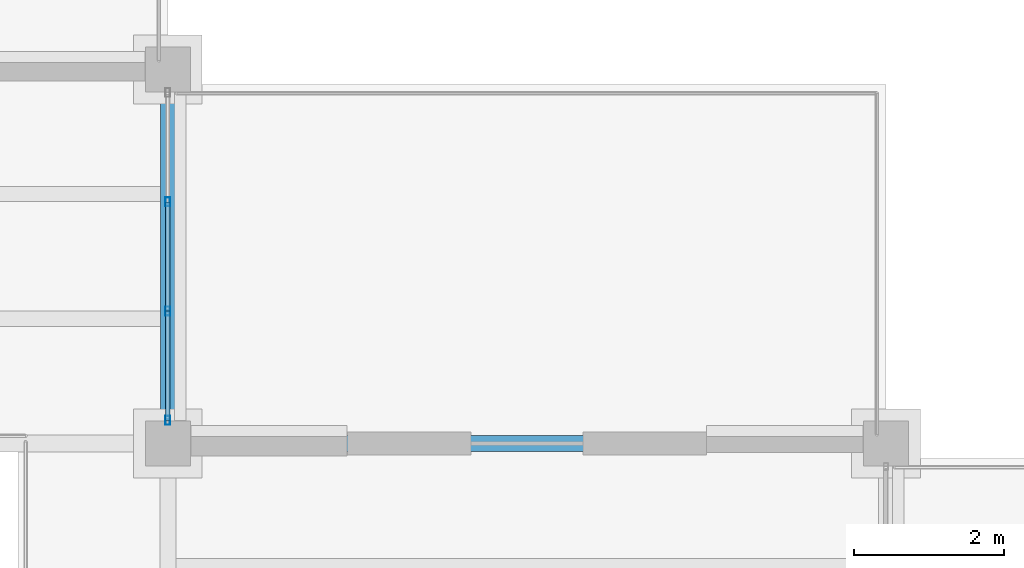
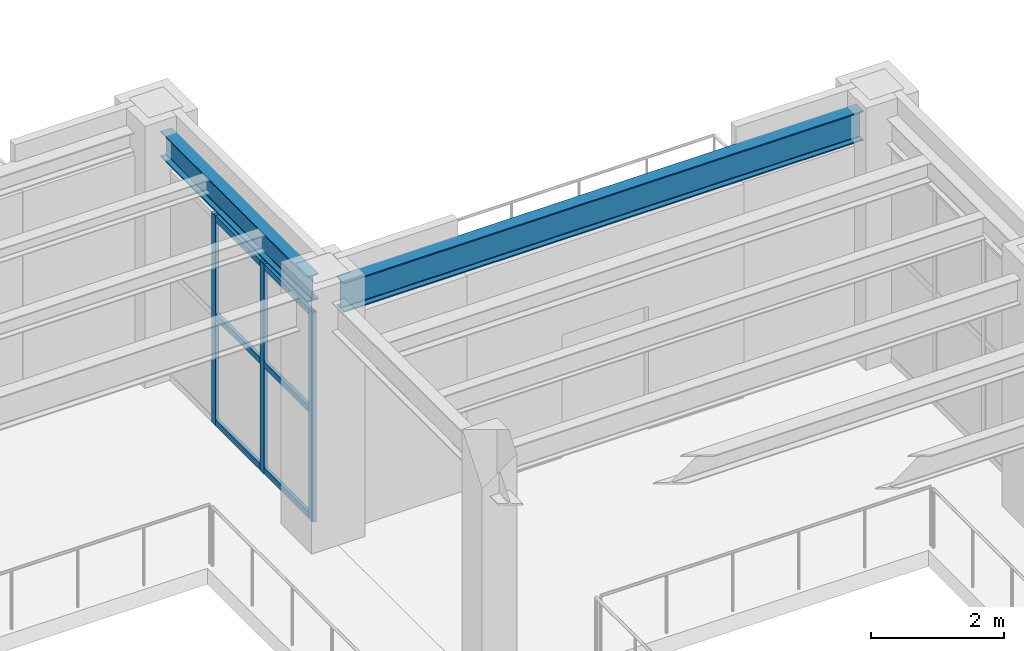
# One storey, part 42 of 83: 9 members, 2 beams, 1 element without a shape of its own.
"""IFC4 building model written with IfcOpenShell, lengths in metres."""

from ifc_helpers import new_model, si_unit, direction, frame, origin, origin_2d, place, context, subcontext, project, spatial, hollow_rectangle, i_section, extrude, material, material_profile, profile_set, type_object, element, aggregate, save


model = new_model("IFC4")

# Units and contexts
model_context = context("Model", 3, precision=1e-05, world=origin(), true_north=direction((0.0, 1.0)))
body_context = subcontext(model_context, "Body", "Model", "MODEL_VIEW")
ifc_project = project(units=[si_unit("LENGTHUNIT", "METRE"), si_unit("AREAUNIT", "SQUARE_METRE"), si_unit("VOLUMEUNIT", "CUBIC_METRE"), si_unit("PLANEANGLEUNIT", "RADIAN"), si_unit("MASSUNIT", "GRAM", prefix="KILO")], contexts=[model_context])

# Site, building, storey
site_placement = place(None, origin())
site = spatial("IfcSite", under=ifc_project, at=site_placement, CompositionType="ELEMENT")
building_placement = place(site_placement, origin())
building = spatial("IfcBuilding", under=site, at=building_placement, Name="Mavantir Sound Aquarium", CompositionType="ELEMENT")
storey_placement = place(building_placement, frame((0.0, 0.0, 10.5)))
storey = spatial("IfcBuildingStorey", under=building, at=storey_placement, Name="L02", CompositionType="ELEMENT", Elevation=10.5)

# Beams
ifc_material_1 = material(Name="Structural Steel ASTM A992 Gr50", Category="steel")
ifc_material_profile_1 = material_profile(ifc_material_1, i_section(OverallWidth=0.194091796875, OverallDepth=0.468994140625, WebThickness=0.0126953125, FlangeThickness=0.0205078125, FilletRadius=0.01611328125, at=origin_2d()), Name="W460X106")
ifc_profile_set_1 = profile_set([ifc_material_profile_1], Name="Structural Steel ASTM A992 Gr50")
beam_type_1 = type_object("IfcBeamType", Name="BM-W460X106-I", PredefinedType="BEAM", material=ifc_profile_set_1)
beam_1_placement = place(storey_placement, frame((136.800048828125, 76.10009765625, 4.25146484375), z_axis=(0.0, 1.0, 0.0), x_axis=(-1.0, 0.0, 0.0)))
element("IfcBeam", 1, at=beam_1_placement, inside=storey, type_object=beam_type_1, Name="L02 primary girder SB-46 1584", PredefinedType="BEAM", context=body_context, shape_type="SweptSolid", body=[
    extrude(i_section(OverallWidth=0.194091796875, OverallDepth=0.468994140625, WebThickness=0.0126953125, FlangeThickness=0.0205078125, FilletRadius=0.01611328125, at=origin_2d()), origin(), (0.0, 0.0, 1.0), 4.39990234375),
])
ifc_material_profile_2 = material_profile(ifc_material_1, i_section(OverallWidth=0.2119140625, OverallDepth=0.5439453125, WebThickness=0.01318359375, FlangeThickness=0.021240234375, FilletRadius=0.01806640625, at=origin_2d()), Name="W530X123")
ifc_profile_set_2 = profile_set([ifc_material_profile_2], Name="Structural Steel ASTM A992 Gr50")
beam_type_2 = type_object("IfcBeamType", Name="BM-W530X123-I", PredefinedType="BEAM", material=ifc_profile_set_2)
beam_2_placement = place(storey_placement, frame((137.10009765625, 75.800048828125, 4.214111328125), z_axis=(1.0, 0.0, 0.0), x_axis=(0.0, 1.0, 0.0)))
element("IfcBeam", 2, at=beam_2_placement, inside=storey, type_object=beam_type_2, Name="L02 primary beam SB-53 1546", PredefinedType="BEAM", context=body_context, shape_type="SweptSolid", body=[
    extrude(i_section(OverallWidth=0.2119140625, OverallDepth=0.5439453125, WebThickness=0.01318359375, FlangeThickness=0.021240234375, FilletRadius=0.01806640625, at=origin_2d()), origin(), (0.0, 0.0, 1.0), 9.0),
])

# Curtain wall, members
ifc_material_2 = material(Name="Anodised Marine Aluminium and Low-E Glass", Category="aluminium")
curtain_wall_type = type_object("IfcCurtainWallType", Name="CW-T10", PredefinedType="USERDEFINED", material=ifc_material_2)
curtain_wall_placement = place(storey_placement, origin())
curtain_wall = element("IfcCurtainWall", 3, at=curtain_wall_placement, inside=storey, type_object=curtain_wall_type, Name="L02 unitised curtain wall CW-10 130", ObjectType="UNITISED GLAZING", PredefinedType="USERDEFINED")
ifc_material_3 = material(Name="Anodised Marine Aluminium 6063-T6", Category="aluminium")
ifc_material_profile_3 = material_profile(ifc_material_3, hollow_rectangle(XDim=0.06494140625, YDim=0.1201171875, WallThickness=0.00390625, at=origin_2d()), Name="ALU-MULLION-120X65")
ifc_profile_set_3 = profile_set([ifc_material_profile_3], Name="Anodised Marine Aluminium 6063-T6")
member_type_1 = type_object("IfcMemberType", Name="CW-MUL-120", PredefinedType="MULLION", material=ifc_profile_set_3)
member_1_placement = place(storey_placement, frame((136.800048828125, 76.10791015625, 0.0), z_axis=(0.0, 0.0, 1.0), x_axis=(1.0, 0.0, 0.0)))
member_1 = element("IfcMember", 4, at=member_1_placement, type_object=member_type_1, Name="CW-L02-130 vertical mullion 1", PredefinedType="MULLION", context=body_context, shape_type="SweptSolid", body=[
    extrude(hollow_rectangle(XDim=0.06494140625, YDim=0.1201171875, WallThickness=0.00390625, at=origin_2d()), origin(), (0.0, 0.0, 1.0), 3.843994140625),
])
member_2_placement = place(storey_placement, frame((136.800048828125, 77.5693359375, 0.0), z_axis=(0.0, 0.0, 1.0), x_axis=(1.0, 0.0, 0.0)))
member_2 = element("IfcMember", 5, at=member_2_placement, type_object=member_type_1, Name="CW-L02-130 vertical mullion 2", PredefinedType="MULLION", context=body_context, shape_type="SweptSolid", body=[
    extrude(hollow_rectangle(XDim=0.06494140625, YDim=0.1201171875, WallThickness=0.00390625, at=origin_2d()), origin(), (0.0, 0.0, 1.0), 3.843994140625),
])
member_3_placement = place(storey_placement, frame((136.800048828125, 79.03076171875, 0.0), z_axis=(0.0, 0.0, 1.0), x_axis=(1.0, 0.0, 0.0)))
member_3 = element("IfcMember", 6, at=member_3_placement, type_object=member_type_1, Name="CW-L02-130 vertical mullion 3", PredefinedType="MULLION", context=body_context, shape_type="SweptSolid", body=[
    extrude(hollow_rectangle(XDim=0.06494140625, YDim=0.1201171875, WallThickness=0.00390625, at=origin_2d()), origin(), (0.0, 0.0, 1.0), 3.843994140625),
])
ifc_material_profile_4 = material_profile(ifc_material_3, hollow_rectangle(XDim=0.06005859375, YDim=0.110107421875, WallThickness=0.00390625, at=origin_2d()), Name="ALU-TRANSOM-110X60")
ifc_profile_set_4 = profile_set([ifc_material_profile_4], Name="Anodised Marine Aluminium 6063-T6")
member_type_2 = type_object("IfcMemberType", Name="CW-TRN-110", PredefinedType="USERDEFINED", material=ifc_profile_set_4)
member_4_placement = place(storey_placement, frame((136.800048828125, 76.10791015625, 0.054931640625), z_axis=(0.0, 1.0, 0.0), x_axis=(-1.0, 0.0, 0.0)))
member_4 = element("IfcMember", 7, at=member_4_placement, type_object=member_type_2, Name="CW-L02-130 transom 1.1", ObjectType="TRANSOM", PredefinedType="USERDEFINED", context=body_context, shape_type="SweptSolid", body=[
    extrude(hollow_rectangle(XDim=0.06005859375, YDim=0.110107421875, WallThickness=0.00390625, at=origin_2d()), origin(), (0.0, 0.0, 1.0), 1.46142578125),
])
member_5_placement = place(storey_placement, frame((136.800048828125, 76.10791015625, 1.998779296875), z_axis=(0.0, 1.0, 0.0), x_axis=(-1.0, 0.0, 0.0)))
member_5 = element("IfcMember", 8, at=member_5_placement, type_object=member_type_2, Name="CW-L02-130 transom 1.2", ObjectType="TRANSOM", PredefinedType="USERDEFINED", context=body_context, shape_type="SweptSolid", body=[
    extrude(hollow_rectangle(XDim=0.06005859375, YDim=0.110107421875, WallThickness=0.00390625, at=origin_2d()), origin(), (0.0, 0.0, 1.0), 1.46142578125),
])
member_6_placement = place(storey_placement, frame((136.800048828125, 76.10791015625, 3.7890625), z_axis=(0.0, 1.0, 0.0), x_axis=(-1.0, 0.0, 0.0)))
member_6 = element("IfcMember", 9, at=member_6_placement, type_object=member_type_2, Name="CW-L02-130 transom 1.3", ObjectType="TRANSOM", PredefinedType="USERDEFINED", context=body_context, shape_type="SweptSolid", body=[
    extrude(hollow_rectangle(XDim=0.06005859375, YDim=0.110107421875, WallThickness=0.00390625, at=origin_2d()), origin(), (0.0, 0.0, 1.0), 1.46142578125),
])
member_7_placement = place(storey_placement, frame((136.800048828125, 77.5693359375, 0.054931640625), z_axis=(0.0, 1.0, 0.0), x_axis=(-1.0, 0.0, 0.0)))
member_7 = element("IfcMember", 10, at=member_7_placement, type_object=member_type_2, Name="CW-L02-130 transom 2.1", ObjectType="TRANSOM", PredefinedType="USERDEFINED", context=body_context, shape_type="SweptSolid", body=[
    extrude(hollow_rectangle(XDim=0.06005859375, YDim=0.110107421875, WallThickness=0.00390625, at=origin_2d()), origin(), (0.0, 0.0, 1.0), 1.46142578125),
])
member_8_placement = place(storey_placement, frame((136.800048828125, 77.5693359375, 1.998779296875), z_axis=(0.0, 1.0, 0.0), x_axis=(-1.0, 0.0, 0.0)))
member_8 = element("IfcMember", 11, at=member_8_placement, type_object=member_type_2, Name="CW-L02-130 transom 2.2", ObjectType="TRANSOM", PredefinedType="USERDEFINED", context=body_context, shape_type="SweptSolid", body=[
    extrude(hollow_rectangle(XDim=0.06005859375, YDim=0.110107421875, WallThickness=0.00390625, at=origin_2d()), origin(), (0.0, 0.0, 1.0), 1.46142578125),
])
member_9_placement = place(storey_placement, frame((136.800048828125, 77.5693359375, 3.7890625), z_axis=(0.0, 1.0, 0.0), x_axis=(-1.0, 0.0, 0.0)))
member_9 = element("IfcMember", 12, at=member_9_placement, type_object=member_type_2, Name="CW-L02-130 transom 2.3", ObjectType="TRANSOM", PredefinedType="USERDEFINED", context=body_context, shape_type="SweptSolid", body=[
    extrude(hollow_rectangle(XDim=0.06005859375, YDim=0.110107421875, WallThickness=0.00390625, at=origin_2d()), origin(), (0.0, 0.0, 1.0), 1.46142578125),
])
aggregate(curtain_wall, [member_1, member_2, member_3, member_4, member_5, member_6, member_7, member_8, member_9])

save(model, "model.ifc")
